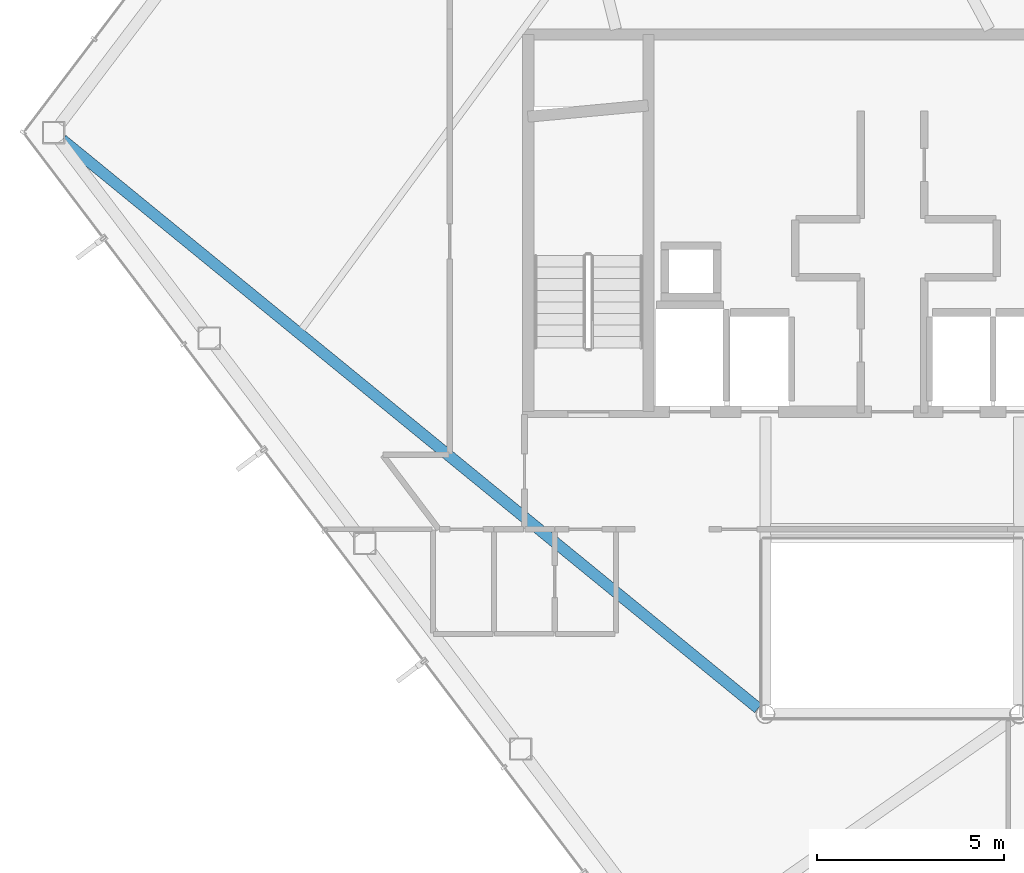
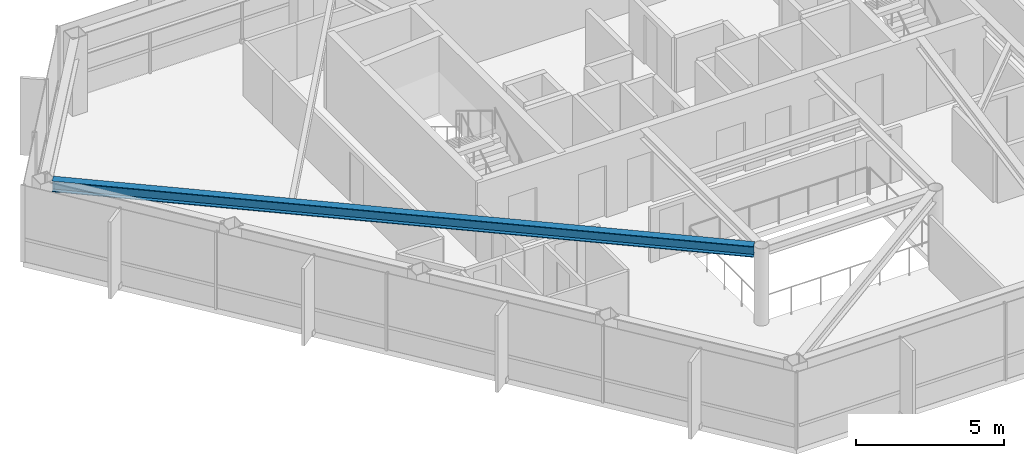
# One storey, part 6 of 28: 1 beam.
"""IFC4 building model written with IfcOpenShell, lengths in metres."""

from ifc_helpers import new_model, si_unit, direction, frame, origin, origin_2d, place, context, subcontext, project, spatial, i_section, extrude, material, material_profile, profile_set, type_object, element, save


model = new_model("IFC4")

# Units and contexts
model_context = context("Model", 3, precision=1e-05, world=origin(), true_north=direction((0.0, 1.0)))
body_context = subcontext(model_context, "Body", "Model", "MODEL_VIEW")
ifc_project = project(units=[si_unit("LENGTHUNIT", "METRE"), si_unit("AREAUNIT", "SQUARE_METRE"), si_unit("VOLUMEUNIT", "CUBIC_METRE"), si_unit("PLANEANGLEUNIT", "RADIAN"), si_unit("MASSUNIT", "GRAM", prefix="KILO")], contexts=[model_context])

# Site, building, storey
site_placement = place(None, origin())
site = spatial("IfcSite", under=ifc_project, at=site_placement, CompositionType="ELEMENT")
building_placement = place(site_placement, origin())
building = spatial("IfcBuilding", under=site, at=building_placement, Name="Zarrinselat Tower", CompositionType="ELEMENT")
storey_placement = place(building_placement, frame((0.0, 0.0, 218.9599609375)))
storey = spatial("IfcBuildingStorey", under=building, at=storey_placement, Name="L54", CompositionType="ELEMENT", Elevation=218.9599609375)

# Beam
ifc_material = material(Name="Steel S355J2", Category="steel")
ifc_material_profile = material_profile(ifc_material, i_section(OverallWidth=0.300048828125, OverallDepth=0.449951171875, WebThickness=0.013916015625, FlangeThickness=0.02587890625, at=origin_2d()), Name="HEB 450")
ifc_profile_set = profile_set([ifc_material_profile], Name="Steel S355J2")
beam_type = type_object("IfcBeamType", Name="BM-HEB450", PredefinedType="BEAM", material=ifc_profile_set)
beam_placement = place(storey_placement, frame((16.176025390625, 40.580810546875, 2.955078125), z_axis=(0.774372184574, -0.632730368924, 0.0), x_axis=(0.632730368924, 0.774372184574, 0.0)))
element("IfcBeam", 1, at=beam_placement, inside=storey, type_object=beam_type, Name="L54 Radial Primary Girder RG06", PredefinedType="BEAM", context=body_context, shape_type="SweptSolid", body=[
    extrude(i_section(OverallWidth=0.300048828125, OverallDepth=0.449951171875, WebThickness=0.013916015625, FlangeThickness=0.02587890625, at=origin_2d()), origin(), (0.0, 0.0, 1.0), 24.05859375),
])

save(model, "model.ifc")
